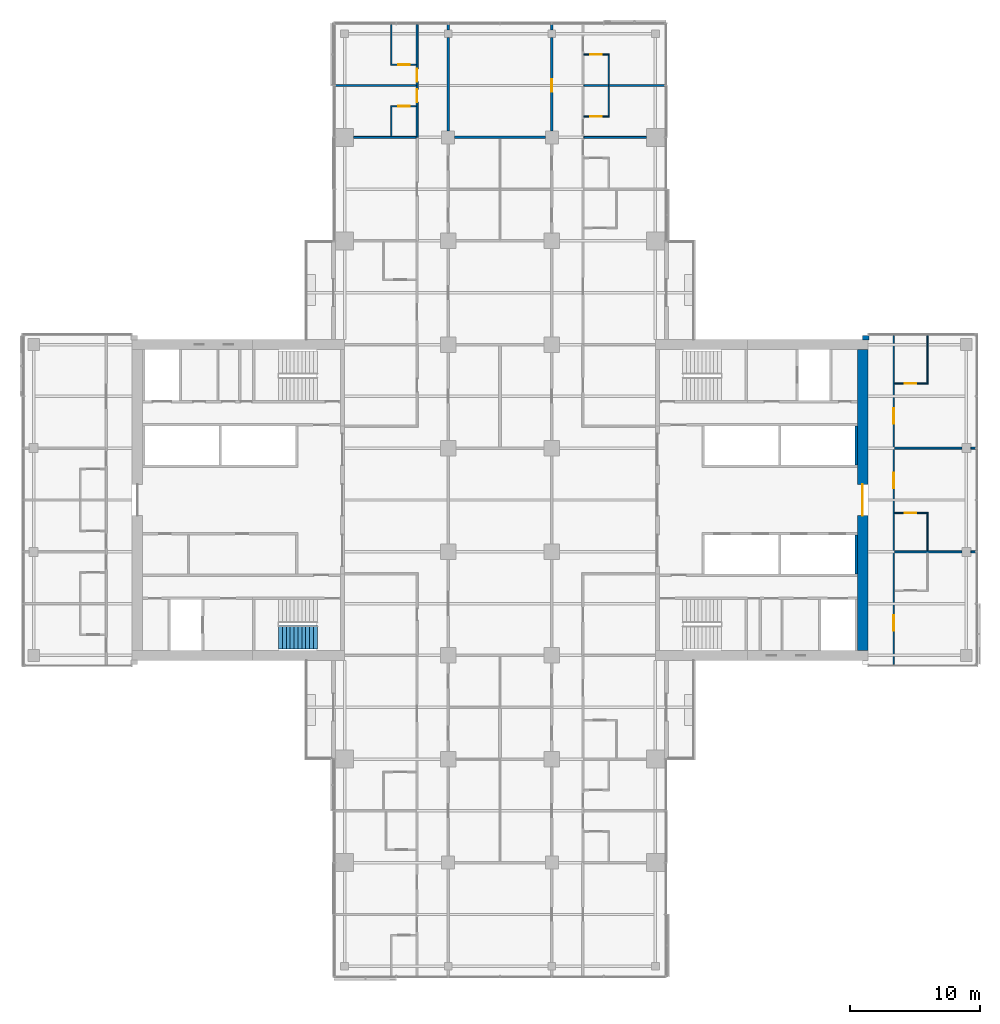
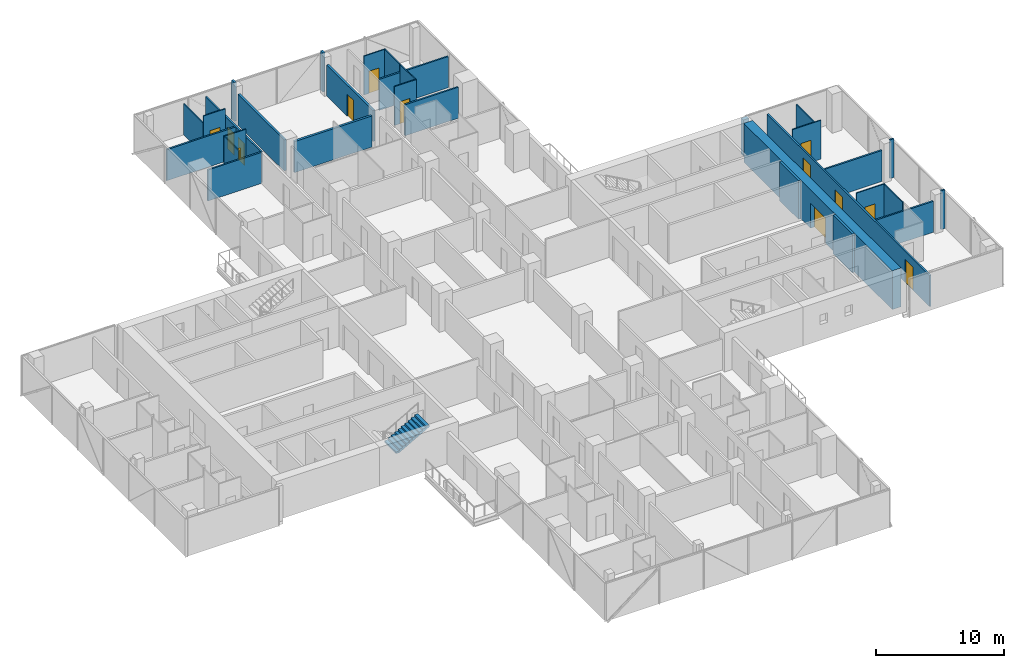
# One storey, part 21 of 27: 31 walls, 13 doors, 1 stair flight, 13 openings, 1 element without a shape of its own.
"""IFC4 building model written with IfcOpenShell, lengths in metres."""

from ifc_helpers import new_model, si_unit, direction, frame, frame_2d, origin, place, context, subcontext, project, spatial, polyline, rectangle, outline, extrude, material, layer, layer_set, type_object, element, fill, aggregate, save


model = new_model("IFC4")

# Units and contexts
model_context = context("Model", 3, precision=1e-05, world=origin(), true_north=direction((0.0, 1.0)))
body_context = subcontext(model_context, "Body", "Model", "MODEL_VIEW")
ifc_project = project(units=[si_unit("LENGTHUNIT", "METRE"), si_unit("AREAUNIT", "SQUARE_METRE"), si_unit("VOLUMEUNIT", "CUBIC_METRE"), si_unit("PLANEANGLEUNIT", "RADIAN"), si_unit("MASSUNIT", "GRAM", prefix="KILO")], contexts=[model_context])

# Site, building, storey
site_placement = place(None, origin())
site = spatial("IfcSite", under=ifc_project, at=site_placement, CompositionType="ELEMENT")
building_placement = place(site_placement, origin())
building = spatial("IfcBuilding", under=site, at=building_placement, Name="Crosswind Convention Tower", CompositionType="ELEMENT")
storey_placement = place(building_placement, frame((0.0, 0.0, 75.699951171875)))
storey = spatial("IfcBuildingStorey", under=building, at=storey_placement, Name="L13", CompositionType="ELEMENT", Elevation=75.699951171875)

# Wall, opening, door
ifc_material_1 = material(Name="Concrete C60/75", Category="concrete")
ifc_layer_1 = layer(ifc_material_1, 0.800048828125)
ifc_layer_set_1 = layer_set([ifc_layer_1], Name="Concrete C60/75")
wall_type_1 = type_object("IfcWallType", Name="Concrete core wall 800", PredefinedType="SHEAR", material=ifc_layer_set_1)
wall_1_placement = place(storey_placement, frame((153.0, 88.39990234375, 0.0), z_axis=(0.0, 0.0, 1.0), x_axis=(0.0, 1.0, 0.0)))
wall_1 = element("IfcWall", 1, at=wall_1_placement, inside=storey, type_object=wall_type_1, Name="Wall O E L13", PredefinedType="SHEAR", context=body_context, shape_type="SweptSolid", body=[
    extrude(rectangle(XDim=23.2001953125, YDim=0.800048828125, at=frame_2d((11.60009765625, 0.0))), origin(), (0.0, 0.0, 1.0), 3.699951171875),
])
opening_1_placement = place(wall_1_placement, frame((10.39990234375, 0.0, 0.0)))
opening_1 = element("IfcOpeningElement", 2, at=opening_1_placement, cuts=wall_1, Name="Opening D100", PredefinedType="OPENING", context=body_context, shape_type="SweptSolid", body=[
    extrude(rectangle(XDim=2.39990234375, YDim=2.39990234375, at=frame_2d((1.199951171875, 1.199951171875))), frame((0.0, 0.409912109375, 0.0), z_axis=(0.0, -1.0, 0.0), x_axis=(1.0, 0.0, 0.0)), (0.0, 0.0, 1.0), 0.820068359375),
])
ifc_material_2 = material(Name="Steel fire door with glazed vision panels", Category="steel")
door_type_1 = type_object("IfcDoorType", Name="Fire-rated double door 2400x2400", OperationType="DOUBLE_DOOR_SINGLE_SWING", PredefinedType="DOOR", material=ifc_material_2)
door_1_placement = place(opening_1_placement, origin())
door_1 = element("IfcDoor", 3, at=door_1_placement, inside=storey, type_object=door_type_1, Name="Lobby outer door L13", ObjectType="D100", OperationType="DOUBLE_DOOR_SINGLE_SWING", OverallHeight=2.39990234375, OverallWidth=2.39990234375, PredefinedType="DOOR", context=body_context, shape_type="SweptSolid", body=[
    extrude(rectangle(XDim=2.39990234375, YDim=2.39990234375, at=frame_2d((1.199951171875, 1.199951171875))), frame((0.0, 0.02490234375, 0.0), z_axis=(0.0, -1.0, 0.0), x_axis=(1.0, 0.0, 0.0)), (0.0, 0.0, 1.0), 0.050048828125),
])
fill(opening_1, door_1)

# Walls
ifc_material_3 = material(Name="Concrete C50/60", Category="concrete")
ifc_layer_2 = layer(ifc_material_3, 0.199951171875)
ifc_layer_set_2 = layer_set([ifc_layer_2], Name="Concrete C50/60")
wall_type_2 = type_object("IfcWallType", Name="Concrete shaft and stair wall 200", PredefinedType="SHEAR", material=ifc_layer_set_2)
for number, where, z_axis, x_axis, name in (
    (4, (152.5, 102.699951171875, 0.0), (0.0, 0.0, 1.0), (0.0, 1.0, 0.0), "Wall RPEAST E L13"),
    (5, (152.5, 94.300048828125, 0.0), (0.0, 0.0, 1.0), (0.0, 1.0, 0.0), "Wall RMEAST E L13"),
):
    element("IfcWall", number, at=place(storey_placement, frame(where, z_axis=z_axis, x_axis=x_axis)), inside=storey, type_object=wall_type_2, Name=name, PredefinedType="SHEAR", context=body_context, shape_type="SweptSolid", body=[
        extrude(rectangle(XDim=3.0, YDim=0.199951171875, at=frame_2d((1.5, 0.0))), origin(), (0.0, 0.0, 1.0), 3.699951171875),
    ])
ifc_material_4 = material(Name="Acoustic plasterboard partition", Category="gypsum")
ifc_layer_3 = layer(ifc_material_4, 0.14990234375)
ifc_layer_set_3 = layer_set([ifc_layer_3], Name="GUEST ROOM WALL 150")
wall_type_3 = type_object("IfcWallType", Name="GUEST ROOM WALL 150", PredefinedType="PARTITIONING", material=ifc_layer_set_3)
wall_2_placement = place(storey_placement, frame((155.47509765625, 96.0, 0.0), z_axis=(0.0, 0.0, 1.0), x_axis=(1.0, 0.0, 0.0)))
element("IfcWall", 6, at=wall_2_placement, inside=storey, type_object=wall_type_3, Name="Guest Room Wall 28", PredefinedType="PARTITIONING", context=body_context, shape_type="SweptSolid", body=[
    extrude(rectangle(XDim=5.1748046875, YDim=0.14990234375, at=frame_2d((2.58740234375, 0.0))), origin(), (0.0, 0.0, 1.0), 2.95654296875),
])
wall_3_placement = place(storey_placement, frame((161.35009765625, 96.0, 0.0), z_axis=(0.0, 0.0, 1.0), x_axis=(1.0, 0.0, 0.0)))
element("IfcWall", 7, at=wall_3_placement, inside=storey, type_object=wall_type_3, Name="Guest Room Wall 29", PredefinedType="PARTITIONING", context=body_context, shape_type="SweptSolid", body=[
    extrude(rectangle(XDim=0.349853515625, YDim=0.14990234375, at=frame_2d((0.1748046875, 0.0))), origin(), (0.0, 0.0, 1.0), 3.699951171875),
])
wall_4_placement = place(storey_placement, frame((155.47509765625, 104.0, 0.0), z_axis=(0.0, 0.0, 1.0), x_axis=(1.0, 0.0, 0.0)))
element("IfcWall", 8, at=wall_4_placement, inside=storey, type_object=wall_type_3, Name="Guest Room Wall 37", PredefinedType="PARTITIONING", context=body_context, shape_type="SweptSolid", body=[
    extrude(rectangle(XDim=5.1748046875, YDim=0.14990234375, at=frame_2d((2.58740234375, 0.0))), origin(), (0.0, 0.0, 1.0), 2.95654296875),
])
wall_5_placement = place(storey_placement, frame((161.35009765625, 104.0, 0.0), z_axis=(0.0, 0.0, 1.0), x_axis=(1.0, 0.0, 0.0)))
element("IfcWall", 9, at=wall_5_placement, inside=storey, type_object=wall_type_3, Name="Guest Room Wall 38", PredefinedType="PARTITIONING", context=body_context, shape_type="SweptSolid", body=[
    extrude(rectangle(XDim=0.349853515625, YDim=0.14990234375, at=frame_2d((0.1748046875, 0.0))), origin(), (0.0, 0.0, 1.0), 3.699951171875),
])
for number, where, z_axis, x_axis, name in (
    (10, (113.699951171875, 128.0, 0.0), (0.0, 0.0, 1.0), (1.0, 0.0, 0.0), "Guest Room Wall 52"),
    (11, (131.47509765625, 128.0, 0.0), (0.0, 0.0, 1.0), (1.0, 0.0, 0.0), "Guest Room Wall 54"),
):
    element("IfcWall", number, at=place(storey_placement, frame(where, z_axis=z_axis, x_axis=x_axis)), inside=storey, type_object=wall_type_3, Name=name, PredefinedType="PARTITIONING", context=body_context, shape_type="SweptSolid", body=[
        extrude(rectangle(XDim=4.824951171875, YDim=0.14990234375, at=frame_2d((2.41259765625, 0.0))), origin(), (0.0, 0.0, 1.0), 2.9599609375),
    ])
for number, where, z_axis, x_axis, name in (
    (12, (112.300048828125, 132.0, 0.0), (0.0, 0.0, 1.0), (1.0, 0.0, 0.0), "Guest Room Wall 57"),
    (13, (131.47509765625, 132.0, 0.0), (0.0, 0.0, 1.0), (1.0, 0.0, 0.0), "Guest Room Wall 58"),
):
    element("IfcWall", number, at=place(storey_placement, frame(where, z_axis=z_axis, x_axis=x_axis)), inside=storey, type_object=wall_type_3, Name=name, PredefinedType="PARTITIONING", context=body_context, shape_type="SweptSolid", body=[
        extrude(rectangle(XDim=6.224853515625, YDim=0.14990234375, at=frame_2d((3.1123046875, 0.0))), origin(), (0.0, 0.0, 1.0), 2.962890625),
    ])

# Wall, openings, doors
wall_6_placement = place(storey_placement, frame((118.60009765625, 128.0, 0.0), z_axis=(0.0, 0.0, 1.0), x_axis=(0.0, 1.0, 0.0)))
wall_6 = element("IfcWall", 14, at=wall_6_placement, inside=storey, type_object=wall_type_3, Name="Guest Room Wall 78", PredefinedType="PARTITIONING", context=body_context, shape_type="SweptSolid", body=[
    extrude(rectangle(XDim=8.699951171875, YDim=0.14990234375, at=frame_2d((4.35009765625, 0.0))), origin(), (0.0, 0.0, 1.0), 2.9599609375),
])
opening_2_placement = place(wall_6_placement, frame((2.699951171875, 0.0, 0.0)))
opening_2 = element("IfcOpeningElement", 15, at=opening_2_placement, cuts=wall_6, Name="Opening 13.016", PredefinedType="OPENING", context=body_context, shape_type="SweptSolid", body=[
    extrude(rectangle(XDim=1.0, YDim=2.10009765625, at=frame_2d((0.5, 1.050048828125))), frame((0.0, 0.0849609375, 0.0), z_axis=(0.0, -1.0, 0.0), x_axis=(1.0, 0.0, 0.0)), (0.0, 0.0, 1.0), 0.169921875),
])
opening_3_placement = place(wall_6_placement, frame((4.300048828125, 0.0, 0.0)))
opening_3 = element("IfcOpeningElement", 16, at=opening_3_placement, cuts=wall_6, Name="Opening 13.018", PredefinedType="OPENING", context=body_context, shape_type="SweptSolid", body=[
    extrude(rectangle(XDim=1.0, YDim=2.10009765625, at=frame_2d((0.5, 1.050048828125))), frame((0.0, 0.0849609375, 0.0), z_axis=(0.0, -1.0, 0.0), x_axis=(1.0, 0.0, 0.0)), (0.0, 0.0, 1.0), 0.169921875),
])
ifc_material_5 = material(Name="Timber fire door", Category="wood")
door_type_2 = type_object("IfcDoorType", Name="GUEST ROOM DOOR 1000X2100", OperationType="NOTDEFINED", PredefinedType="DOOR", material=ifc_material_5)
door_2_placement = place(opening_2_placement, origin())
door_2 = element("IfcDoor", 17, at=door_2_placement, inside=storey, type_object=door_type_2, Name="Door 13.016", ObjectType="D1", OperationType="SINGLE_SWING_RIGHT", OverallHeight=2.10009765625, OverallWidth=1.0, PredefinedType="DOOR", context=body_context, shape_type="SweptSolid", body=[
    extrude(rectangle(XDim=1.0, YDim=2.10009765625, at=frame_2d((0.5, 1.050048828125))), frame((0.0, 0.02490234375, 0.0), z_axis=(0.0, -1.0, 0.0), x_axis=(1.0, 0.0, 0.0)), (0.0, 0.0, 1.0), 0.050048828125),
])
fill(opening_2, door_2)
door_3_placement = place(opening_3_placement, origin())
door_3 = element("IfcDoor", 18, at=door_3_placement, inside=storey, type_object=door_type_2, Name="Door 13.018", ObjectType="D1", OperationType="SINGLE_SWING_RIGHT", OverallHeight=2.10009765625, OverallWidth=1.0, PredefinedType="DOOR", context=body_context, shape_type="SweptSolid", body=[
    extrude(rectangle(XDim=1.0, YDim=2.10009765625, at=frame_2d((0.5, 1.050048828125))), frame((0.0, 0.02490234375, 0.0), z_axis=(0.0, -1.0, 0.0), x_axis=(1.0, 0.0, 0.0)), (0.0, 0.0, 1.0), 0.050048828125),
])
fill(opening_3, door_3)

wall_7_placement = place(storey_placement, frame((155.39990234375, 87.300048828125, 0.0), z_axis=(0.0, 0.0, 1.0), x_axis=(0.0, 1.0, 0.0)))
wall_7 = element("IfcWall", 19, at=wall_7_placement, inside=storey, type_object=wall_type_3, Name="Guest Room Wall 120", PredefinedType="PARTITIONING", context=body_context, shape_type="SweptSolid", body=[
    extrude(rectangle(XDim=25.39990234375, YDim=0.14990234375, at=frame_2d((12.699951171875, 0.0))), origin(), (0.0, 0.0, 1.0), 2.95654296875),
])
opening_4_placement = place(wall_7_placement, frame((2.60009765625, 0.0, 0.0)))
opening_4 = element("IfcOpeningElement", 20, at=opening_4_placement, cuts=wall_7, Name="Opening 13.033", PredefinedType="OPENING", context=body_context, shape_type="SweptSolid", body=[
    extrude(rectangle(XDim=1.199951171875, YDim=2.199951171875, at=frame_2d((0.60009765625, 1.10009765625))), frame((0.0, 0.0849609375, 0.0), z_axis=(0.0, -1.0, 0.0), x_axis=(1.0, 0.0, 0.0)), (0.0, 0.0, 1.0), 0.169921875),
])
opening_5_placement = place(wall_7_placement, frame((13.60009765625, 0.0, 0.0)))
opening_5 = element("IfcOpeningElement", 21, at=opening_5_placement, cuts=wall_7, Name="Opening 13.035", PredefinedType="OPENING", context=body_context, shape_type="SweptSolid", body=[
    extrude(rectangle(XDim=1.199951171875, YDim=2.199951171875, at=frame_2d((0.60009765625, 1.10009765625))), frame((0.0, 0.0849609375, 0.0), z_axis=(0.0, -1.0, 0.0), x_axis=(1.0, 0.0, 0.0)), (0.0, 0.0, 1.0), 0.169921875),
])
opening_6_placement = place(wall_7_placement, frame((18.60009765625, 0.0, 0.0)))
opening_6 = element("IfcOpeningElement", 22, at=opening_6_placement, cuts=wall_7, Name="Opening 13.037", PredefinedType="OPENING", context=body_context, shape_type="SweptSolid", body=[
    extrude(rectangle(XDim=1.199951171875, YDim=2.199951171875, at=frame_2d((0.60009765625, 1.10009765625))), frame((0.0, 0.0849609375, 0.0), z_axis=(0.0, -1.0, 0.0), x_axis=(1.0, 0.0, 0.0)), (0.0, 0.0, 1.0), 0.169921875),
])
door_type_3 = type_object("IfcDoorType", Name="SUITE DOOR 1200X2200", OperationType="DOUBLE_DOOR_SINGLE_SWING", PredefinedType="DOOR", material=ifc_material_5)
door_4_placement = place(opening_4_placement, frame((1.199951171875, 0.0, 0.0), z_axis=(0.0, 0.0, 1.0), x_axis=(-1.0, 0.0, 0.0)))
door_4 = element("IfcDoor", 23, at=door_4_placement, inside=storey, type_object=door_type_3, Name="Door 13.033", ObjectType="D14", OperationType="DOUBLE_DOOR_SINGLE_SWING", OverallHeight=2.199951171875, OverallWidth=1.199951171875, PredefinedType="DOOR", context=body_context, shape_type="SweptSolid", body=[
    extrude(rectangle(XDim=1.199951171875, YDim=2.199951171875, at=frame_2d((0.60009765625, 1.10009765625))), frame((0.0, 0.02490234375, 0.0), z_axis=(0.0, -1.0, 0.0), x_axis=(1.0, 0.0, 0.0)), (0.0, 0.0, 1.0), 0.050048828125),
])
fill(opening_4, door_4)
door_5_placement = place(opening_5_placement, frame((1.199951171875, 0.0, 0.0), z_axis=(0.0, 0.0, 1.0), x_axis=(-1.0, 0.0, 0.0)))
door_5 = element("IfcDoor", 24, at=door_5_placement, inside=storey, type_object=door_type_3, Name="Door 13.035", ObjectType="D14", OperationType="DOUBLE_DOOR_SINGLE_SWING", OverallHeight=2.199951171875, OverallWidth=1.199951171875, PredefinedType="DOOR", context=body_context, shape_type="SweptSolid", body=[
    extrude(rectangle(XDim=1.199951171875, YDim=2.199951171875, at=frame_2d((0.60009765625, 1.10009765625))), frame((0.0, 0.02490234375, 0.0), z_axis=(0.0, -1.0, 0.0), x_axis=(1.0, 0.0, 0.0)), (0.0, 0.0, 1.0), 0.050048828125),
])
fill(opening_5, door_5)
door_6_placement = place(opening_6_placement, frame((1.199951171875, 0.0, 0.0), z_axis=(0.0, 0.0, 1.0), x_axis=(-1.0, 0.0, 0.0)))
door_6 = element("IfcDoor", 25, at=door_6_placement, inside=storey, type_object=door_type_3, Name="Door 13.037", ObjectType="D14", OperationType="DOUBLE_DOOR_SINGLE_SWING", OverallHeight=2.199951171875, OverallWidth=1.199951171875, PredefinedType="DOOR", context=body_context, shape_type="SweptSolid", body=[
    extrude(rectangle(XDim=1.199951171875, YDim=2.199951171875, at=frame_2d((0.60009765625, 1.10009765625))), frame((0.0, 0.02490234375, 0.0), z_axis=(0.0, -1.0, 0.0), x_axis=(1.0, 0.0, 0.0)), (0.0, 0.0, 1.0), 0.050048828125),
])
fill(opening_6, door_6)

# Walls
ifc_material_6 = material(Name="Double plasterboard partition", Category="gypsum")
ifc_layer_4 = layer(ifc_material_6, 0.199951171875)
ifc_layer_set_4 = layer_set([ifc_layer_4], Name="HALL WALL 200")
wall_type_4 = type_object("IfcWallType", Name="HALL WALL 200", PredefinedType="PARTITIONING", material=ifc_layer_set_4)
wall_8_placement = place(storey_placement, frame((121.5, 128.0, 0.0), z_axis=(0.0, 0.0, 1.0), x_axis=(1.0, 0.0, 0.0)))
element("IfcWall", 26, at=wall_8_placement, inside=storey, type_object=wall_type_4, Name="Hall Wall 53", PredefinedType="PARTITIONING", context=body_context, shape_type="SweptSolid", body=[
    extrude(rectangle(XDim=7.0, YDim=0.199951171875, at=frame_2d((3.5, 0.0))), origin(), (0.0, 0.0, 1.0), 2.9599609375),
])
wall_9_placement = place(storey_placement, frame((121.0, 128.5, 0.0), z_axis=(0.0, 0.0, 1.0), x_axis=(0.0, 1.0, 0.0)))
element("IfcWall", 27, at=wall_9_placement, inside=storey, type_object=wall_type_4, Name="Hall Wall 88", PredefinedType="PARTITIONING", context=body_context, shape_type="SweptSolid", body=[
    extrude(rectangle(XDim=7.199951171875, YDim=0.199951171875, at=frame_2d((3.60009765625, 0.0))), origin(), (0.0, 0.0, 1.0), 2.9599609375),
])
wall_10_placement = place(storey_placement, frame((121.0, 136.300048828125, 0.0), z_axis=(0.0, 0.0, 1.0), x_axis=(0.0, 1.0, 0.0)))
element("IfcWall", 28, at=wall_10_placement, inside=storey, type_object=wall_type_4, Name="Hall Wall 89", PredefinedType="PARTITIONING", context=body_context, shape_type="SweptSolid", body=[
    extrude(rectangle(XDim=0.39990234375, YDim=0.199951171875, at=frame_2d((0.199951171875, 0.0))), origin(), (0.0, 0.0, 1.0), 3.699951171875),
])

# Wall, opening, door
wall_11_placement = place(storey_placement, frame((129.0, 128.5, 0.0), z_axis=(0.0, 0.0, 1.0), x_axis=(0.0, 1.0, 0.0)))
wall_11 = element("IfcWall", 29, at=wall_11_placement, inside=storey, type_object=wall_type_4, Name="Hall Wall 106", PredefinedType="PARTITIONING", context=body_context, shape_type="SweptSolid", body=[
    extrude(rectangle(XDim=7.199951171875, YDim=0.199951171875, at=frame_2d((3.60009765625, 0.0))), origin(), (0.0, 0.0, 1.0), 2.9599609375),
])
opening_7_placement = place(wall_11_placement, frame((3.0, 0.0, 0.0)))
opening_7 = element("IfcOpeningElement", 30, at=opening_7_placement, cuts=wall_11, Name="Opening 13.063", PredefinedType="OPENING", context=body_context, shape_type="SweptSolid", body=[
    extrude(rectangle(XDim=1.0, YDim=2.10009765625, at=frame_2d((0.5, 1.050048828125))), frame((0.0, 0.10986328125, 0.0), z_axis=(0.0, -1.0, 0.0), x_axis=(1.0, 0.0, 0.0)), (0.0, 0.0, 1.0), 0.219970703125),
])
door_type_4 = type_object("IfcDoorType", Name="MEETING ROOM DOOR 1000X2100", OperationType="NOTDEFINED", PredefinedType="DOOR", material=ifc_material_5)
door_7_placement = place(opening_7_placement, frame((1.0, 0.0, 0.0), z_axis=(0.0, 0.0, 1.0), x_axis=(-1.0, 0.0, 0.0)))
door_7 = element("IfcDoor", 31, at=door_7_placement, inside=storey, type_object=door_type_4, Name="Door 13.063", ObjectType="D13", OperationType="SINGLE_SWING_RIGHT", OverallHeight=2.10009765625, OverallWidth=1.0, PredefinedType="DOOR", context=body_context, shape_type="SweptSolid", body=[
    extrude(rectangle(XDim=1.0, YDim=2.10009765625, at=frame_2d((0.5, 1.050048828125))), frame((0.0, 0.02490234375, 0.0), z_axis=(0.0, -1.0, 0.0), x_axis=(1.0, 0.0, 0.0)), (0.0, 0.0, 1.0), 0.050048828125),
])
fill(opening_7, door_7)

# Walls
wall_12_placement = place(storey_placement, frame((129.0, 136.300048828125, 0.0), z_axis=(0.0, 0.0, 1.0), x_axis=(0.0, 1.0, 0.0)))
element("IfcWall", 32, at=wall_12_placement, inside=storey, type_object=wall_type_4, Name="Hall Wall 107", PredefinedType="PARTITIONING", context=body_context, shape_type="SweptSolid", body=[
    extrude(rectangle(XDim=0.39990234375, YDim=0.199951171875, at=frame_2d((0.199951171875, 0.0))), origin(), (0.0, 0.0, 1.0), 3.699951171875),
])
ifc_material_7 = material(Name="Terracotta rainscreen", Category="ceramic")
ifc_layer_5 = layer(ifc_material_7, 0.02001953125)
ifc_material_8 = material(Name="Mineral wool insulation", Category="insulation")
ifc_layer_6 = layer(ifc_material_8, 0.10009765625)
ifc_material_9 = material(Name="Concrete blockwork", Category="masonry")
ifc_layer_7 = layer(ifc_material_9, 0.236083984375)
ifc_layer_set_5 = layer_set([ifc_layer_5, ifc_layer_6, ifc_layer_7], Name="TERRACOTTA CORNER INFILL WALL 356")
wall_type_5 = type_object("IfcWallType", Name="TERRACOTTA CORNER INFILL WALL 356", PredefinedType="SOLIDWALL", material=ifc_layer_set_5)
wall_13_placement = place(storey_placement, frame((153.0, 112.52197265625, 0.0), z_axis=(0.0, 0.0, 1.0), x_axis=(1.0, 0.0, 0.0)))
element("IfcWall", 33, at=wall_13_placement, inside=storey, type_object=wall_type_5, Name="Core corner infill wall L13 1", PredefinedType="SOLIDWALL", context=body_context, shape_type="SweptSolid", body=[
    extrude(rectangle(XDim=0.5048828125, YDim=0.35595703125, at=frame_2d((0.25244140625, 0.0))), origin(), (0.0, 0.0, 1.0), 3.420166015625),
])

# Wall, opening, door
ifc_material_10 = material(Name="Water-resistant plasterboard partition", Category="gypsum")
ifc_layer_8 = layer(ifc_material_10, 0.10009765625)
ifc_layer_set_6 = layer_set([ifc_layer_8], Name="WET ROOM PARTITION 100")
wall_type_6 = type_object("IfcWallType", Name="WET ROOM PARTITION 100", PredefinedType="PLUMBINGWALL", material=ifc_layer_set_6)
wall_14_placement = place(storey_placement, frame((155.47509765625, 99.0, 0.0), z_axis=(0.0, 0.0, 1.0), x_axis=(1.0, 0.0, 0.0)))
wall_14 = element("IfcWall", 34, at=wall_14_placement, inside=storey, type_object=wall_type_6, Name="Wet Room Partition 31", PredefinedType="PLUMBINGWALL", context=body_context, shape_type="SweptSolid", body=[
    extrude(rectangle(XDim=2.574951171875, YDim=0.10009765625, at=frame_2d((1.28759765625, 0.0))), origin(), (0.0, 0.0, 1.0), 3.699951171875),
])
opening_8_placement = place(wall_14_placement, frame((0.77490234375, 0.0, 0.0)))
opening_8 = element("IfcOpeningElement", 35, at=opening_8_placement, cuts=wall_14, Name="Opening 13.036", PredefinedType="OPENING", context=body_context, shape_type="SweptSolid", body=[
    extrude(rectangle(XDim=0.89990234375, YDim=2.10009765625, at=frame_2d((0.449951171875, 1.050048828125))), frame((0.0, 0.06005859375, 0.0), z_axis=(0.0, -1.0, 0.0), x_axis=(1.0, 0.0, 0.0)), (0.0, 0.0, 1.0), 0.1201171875),
])
ifc_material_11 = material(Name="Timber door", Category="wood")
door_type_5 = type_object("IfcDoorType", Name="EN-SUITE DOOR 900X2100", OperationType="NOTDEFINED", PredefinedType="DOOR", material=ifc_material_11)
door_8_placement = place(opening_8_placement, frame((0.89990234375, 0.0, 0.0), z_axis=(0.0, 0.0, 1.0), x_axis=(-1.0, 0.0, 0.0)))
door_8 = element("IfcDoor", 36, at=door_8_placement, inside=storey, type_object=door_type_5, Name="Door 13.036", ObjectType="D2", OperationType="SINGLE_SWING_LEFT", OverallHeight=2.10009765625, OverallWidth=0.89990234375, PredefinedType="DOOR", context=body_context, shape_type="SweptSolid", body=[
    extrude(rectangle(XDim=0.89990234375, YDim=2.10009765625, at=frame_2d((0.449951171875, 1.050048828125))), frame((0.0, 0.02490234375, 0.0), z_axis=(0.0, -1.0, 0.0), x_axis=(1.0, 0.0, 0.0)), (0.0, 0.0, 1.0), 0.050048828125),
])
fill(opening_8, door_8)

wall_15_placement = place(storey_placement, frame((155.47509765625, 109.0, 0.0), z_axis=(0.0, 0.0, 1.0), x_axis=(1.0, 0.0, 0.0)))
wall_15 = element("IfcWall", 37, at=wall_15_placement, inside=storey, type_object=wall_type_6, Name="Wet Room Partition 41", PredefinedType="PLUMBINGWALL", context=body_context, shape_type="SweptSolid", body=[
    extrude(rectangle(XDim=2.574951171875, YDim=0.10009765625, at=frame_2d((1.28759765625, 0.0))), origin(), (0.0, 0.0, 1.0), 3.699951171875),
])
opening_9_placement = place(wall_15_placement, frame((0.77490234375, 0.0, 0.0)))
opening_9 = element("IfcOpeningElement", 38, at=opening_9_placement, cuts=wall_15, Name="Opening 13.038", PredefinedType="OPENING", context=body_context, shape_type="SweptSolid", body=[
    extrude(rectangle(XDim=0.89990234375, YDim=2.10009765625, at=frame_2d((0.449951171875, 1.050048828125))), frame((0.0, 0.06005859375, 0.0), z_axis=(0.0, -1.0, 0.0), x_axis=(1.0, 0.0, 0.0)), (0.0, 0.0, 1.0), 0.1201171875),
])
door_9_placement = place(opening_9_placement, origin())
door_9 = element("IfcDoor", 39, at=door_9_placement, inside=storey, type_object=door_type_5, Name="Door 13.038", ObjectType="D2", OperationType="SINGLE_SWING_RIGHT", OverallHeight=2.10009765625, OverallWidth=0.89990234375, PredefinedType="DOOR", context=body_context, shape_type="SweptSolid", body=[
    extrude(rectangle(XDim=0.89990234375, YDim=2.10009765625, at=frame_2d((0.449951171875, 1.050048828125))), frame((0.0, 0.02490234375, 0.0), z_axis=(0.0, -1.0, 0.0), x_axis=(1.0, 0.0, 0.0)), (0.0, 0.0, 1.0), 0.050048828125),
])
fill(opening_9, door_9)

wall_16_placement = place(storey_placement, frame((131.47509765625, 129.60009765625, 0.0), z_axis=(0.0, 0.0, 1.0), x_axis=(1.0, 0.0, 0.0)))
wall_16 = element("IfcWall", 40, at=wall_16_placement, inside=storey, type_object=wall_type_6, Name="Wet Room Partition 55", PredefinedType="PLUMBINGWALL", context=body_context, shape_type="SweptSolid", body=[
    extrude(rectangle(XDim=1.974853515625, YDim=0.10009765625, at=frame_2d((0.9873046875, 0.0))), origin(), (0.0, 0.0, 1.0), 3.699951171875),
])
opening_10_placement = place(wall_16_placement, frame((0.47509765625, 0.0, 0.0)))
opening_10 = element("IfcOpeningElement", 41, at=opening_10_placement, cuts=wall_16, Name="Opening 13.010", PredefinedType="OPENING", context=body_context, shape_type="SweptSolid", body=[
    extrude(rectangle(XDim=0.89990234375, YDim=2.10009765625, at=frame_2d((0.449951171875, 1.050048828125))), frame((0.0, 0.06005859375, 0.0), z_axis=(0.0, -1.0, 0.0), x_axis=(1.0, 0.0, 0.0)), (0.0, 0.0, 1.0), 0.1201171875),
])
door_10_placement = place(opening_10_placement, origin())
door_10 = element("IfcDoor", 42, at=door_10_placement, inside=storey, type_object=door_type_5, Name="Door 13.010", ObjectType="D2", OperationType="SINGLE_SWING_RIGHT", OverallHeight=2.10009765625, OverallWidth=0.89990234375, PredefinedType="DOOR", context=body_context, shape_type="SweptSolid", body=[
    extrude(rectangle(XDim=0.89990234375, YDim=2.10009765625, at=frame_2d((0.449951171875, 1.050048828125))), frame((0.0, 0.02490234375, 0.0), z_axis=(0.0, -1.0, 0.0), x_axis=(1.0, 0.0, 0.0)), (0.0, 0.0, 1.0), 0.050048828125),
])
fill(opening_10, door_10)

wall_17_placement = place(storey_placement, frame((116.550048828125, 130.39990234375, 0.0), z_axis=(0.0, 0.0, 1.0), x_axis=(1.0, 0.0, 0.0)))
wall_17 = element("IfcWall", 43, at=wall_17_placement, inside=storey, type_object=wall_type_6, Name="Wet Room Partition 56", PredefinedType="PLUMBINGWALL", context=body_context, shape_type="SweptSolid", body=[
    extrude(rectangle(XDim=1.974853515625, YDim=0.10009765625, at=frame_2d((0.9873046875, 0.0))), origin(), (0.0, 0.0, 1.0), 3.699951171875),
])
opening_11_placement = place(wall_17_placement, frame((0.60009765625, 0.0, 0.0)))
opening_11 = element("IfcOpeningElement", 44, at=opening_11_placement, cuts=wall_17, Name="Opening 13.017", PredefinedType="OPENING", context=body_context, shape_type="SweptSolid", body=[
    extrude(rectangle(XDim=0.89990234375, YDim=2.10009765625, at=frame_2d((0.449951171875, 1.050048828125))), frame((0.0, 0.06005859375, 0.0), z_axis=(0.0, -1.0, 0.0), x_axis=(1.0, 0.0, 0.0)), (0.0, 0.0, 1.0), 0.1201171875),
])
door_11_placement = place(opening_11_placement, frame((0.89990234375, 0.0, 0.0), z_axis=(0.0, 0.0, 1.0), x_axis=(-1.0, 0.0, 0.0)))
door_11 = element("IfcDoor", 45, at=door_11_placement, inside=storey, type_object=door_type_5, Name="Door 13.017", ObjectType="D2", OperationType="SINGLE_SWING_LEFT", OverallHeight=2.10009765625, OverallWidth=0.89990234375, PredefinedType="DOOR", context=body_context, shape_type="SweptSolid", body=[
    extrude(rectangle(XDim=0.89990234375, YDim=2.10009765625, at=frame_2d((0.449951171875, 1.050048828125))), frame((0.0, 0.02490234375, 0.0), z_axis=(0.0, -1.0, 0.0), x_axis=(1.0, 0.0, 0.0)), (0.0, 0.0, 1.0), 0.050048828125),
])
fill(opening_11, door_11)

wall_18_placement = place(storey_placement, frame((116.550048828125, 133.60009765625, 0.0), z_axis=(0.0, 0.0, 1.0), x_axis=(1.0, 0.0, 0.0)))
wall_18 = element("IfcWall", 46, at=wall_18_placement, inside=storey, type_object=wall_type_6, Name="Wet Room Partition 59", PredefinedType="PLUMBINGWALL", context=body_context, shape_type="SweptSolid", body=[
    extrude(rectangle(XDim=1.974853515625, YDim=0.10009765625, at=frame_2d((0.9873046875, 0.0))), origin(), (0.0, 0.0, 1.0), 3.699951171875),
])
opening_12_placement = place(wall_18_placement, frame((0.60009765625, 0.0, 0.0)))
opening_12 = element("IfcOpeningElement", 47, at=opening_12_placement, cuts=wall_18, Name="Opening 13.019", PredefinedType="OPENING", context=body_context, shape_type="SweptSolid", body=[
    extrude(rectangle(XDim=0.89990234375, YDim=2.10009765625, at=frame_2d((0.449951171875, 1.050048828125))), frame((0.0, 0.06005859375, 0.0), z_axis=(0.0, -1.0, 0.0), x_axis=(1.0, 0.0, 0.0)), (0.0, 0.0, 1.0), 0.1201171875),
])
door_12_placement = place(opening_12_placement, origin())
door_12 = element("IfcDoor", 48, at=door_12_placement, inside=storey, type_object=door_type_5, Name="Door 13.019", ObjectType="D2", OperationType="SINGLE_SWING_RIGHT", OverallHeight=2.10009765625, OverallWidth=0.89990234375, PredefinedType="DOOR", context=body_context, shape_type="SweptSolid", body=[
    extrude(rectangle(XDim=0.89990234375, YDim=2.10009765625, at=frame_2d((0.449951171875, 1.050048828125))), frame((0.0, 0.02490234375, 0.0), z_axis=(0.0, -1.0, 0.0), x_axis=(1.0, 0.0, 0.0)), (0.0, 0.0, 1.0), 0.050048828125),
])
fill(opening_12, door_12)

wall_19_placement = place(storey_placement, frame((131.47509765625, 134.39990234375, 0.0), z_axis=(0.0, 0.0, 1.0), x_axis=(1.0, 0.0, 0.0)))
wall_19 = element("IfcWall", 49, at=wall_19_placement, inside=storey, type_object=wall_type_6, Name="Wet Room Partition 60", PredefinedType="PLUMBINGWALL", context=body_context, shape_type="SweptSolid", body=[
    extrude(rectangle(XDim=1.974853515625, YDim=0.10009765625, at=frame_2d((0.9873046875, 0.0))), origin(), (0.0, 0.0, 1.0), 3.699951171875),
])
opening_13_placement = place(wall_19_placement, frame((0.47509765625, 0.0, 0.0)))
opening_13 = element("IfcOpeningElement", 50, at=opening_13_placement, cuts=wall_19, Name="Opening 13.012", PredefinedType="OPENING", context=body_context, shape_type="SweptSolid", body=[
    extrude(rectangle(XDim=0.89990234375, YDim=2.10009765625, at=frame_2d((0.449951171875, 1.050048828125))), frame((0.0, 0.06005859375, 0.0), z_axis=(0.0, -1.0, 0.0), x_axis=(1.0, 0.0, 0.0)), (0.0, 0.0, 1.0), 0.1201171875),
])
door_13_placement = place(opening_13_placement, frame((0.89990234375, 0.0, 0.0), z_axis=(0.0, 0.0, 1.0), x_axis=(-1.0, 0.0, 0.0)))
door_13 = element("IfcDoor", 51, at=door_13_placement, inside=storey, type_object=door_type_5, Name="Door 13.012", ObjectType="D2", OperationType="SINGLE_SWING_LEFT", OverallHeight=2.10009765625, OverallWidth=0.89990234375, PredefinedType="DOOR", context=body_context, shape_type="SweptSolid", body=[
    extrude(rectangle(XDim=0.89990234375, YDim=2.10009765625, at=frame_2d((0.449951171875, 1.050048828125))), frame((0.0, 0.02490234375, 0.0), z_axis=(0.0, -1.0, 0.0), x_axis=(1.0, 0.0, 0.0)), (0.0, 0.0, 1.0), 0.050048828125),
])
fill(opening_13, door_13)

# Walls
wall_20_placement = place(storey_placement, frame((116.60009765625, 128.074951171875, 0.0), z_axis=(0.0, 0.0, 1.0), x_axis=(0.0, 1.0, 0.0)))
element("IfcWall", 52, at=wall_20_placement, inside=storey, type_object=wall_type_6, Name="Wet Room Partition 71", PredefinedType="PLUMBINGWALL", context=body_context, shape_type="SweptSolid", body=[
    extrude(rectangle(XDim=2.275146484375, YDim=0.10009765625, at=frame_2d((1.1376953125, 0.0))), origin(), (0.0, 0.0, 1.0), 3.699951171875),
])
wall_21_placement = place(storey_placement, frame((116.60009765625, 133.64990234375, 0.0), z_axis=(0.0, 0.0, 1.0), x_axis=(0.0, 1.0, 0.0)))
element("IfcWall", 53, at=wall_21_placement, inside=storey, type_object=wall_type_6, Name="Wet Room Partition 72", PredefinedType="PLUMBINGWALL", context=body_context, shape_type="SweptSolid", body=[
    extrude(rectangle(XDim=3.050048828125, YDim=0.10009765625, at=frame_2d((1.52490234375, 0.0))), origin(), (0.0, 0.0, 1.0), 2.962890625),
])
for number, where, z_axis, x_axis, name in (
    (54, (133.39990234375, 129.64990234375, 0.0), (0.0, 0.0, 1.0), (0.0, 1.0, 0.0), "Wet Room Partition 116"),
    (55, (133.39990234375, 132.074951171875, 0.0), (0.0, 0.0, 1.0), (0.0, 1.0, 0.0), "Wet Room Partition 117"),
):
    element("IfcWall", number, at=place(storey_placement, frame(where, z_axis=z_axis, x_axis=x_axis)), inside=storey, type_object=wall_type_6, Name=name, PredefinedType="PLUMBINGWALL", context=body_context, shape_type="SweptSolid", body=[
        extrude(rectangle(XDim=2.275146484375, YDim=0.10009765625, at=frame_2d((1.1376953125, 0.0))), origin(), (0.0, 0.0, 1.0), 3.699951171875),
    ])
wall_22_placement = place(storey_placement, frame((158.0, 96.074951171875, 0.0), z_axis=(0.0, 0.0, 1.0), x_axis=(0.0, 1.0, 0.0)))
element("IfcWall", 56, at=wall_22_placement, inside=storey, type_object=wall_type_6, Name="Wet Room Partition 122", PredefinedType="PLUMBINGWALL", context=body_context, shape_type="SweptSolid", body=[
    extrude(rectangle(XDim=2.875, YDim=0.10009765625, at=frame_2d((1.4375, 0.0))), origin(), (0.0, 0.0, 1.0), 3.699951171875),
])
wall_23_placement = place(storey_placement, frame((158.0, 109.050048828125, 0.0), z_axis=(0.0, 0.0, 1.0), x_axis=(0.0, 1.0, 0.0)))
element("IfcWall", 57, at=wall_23_placement, inside=storey, type_object=wall_type_6, Name="Wet Room Partition 123", PredefinedType="PLUMBINGWALL", context=body_context, shape_type="SweptSolid", body=[
    extrude(rectangle(XDim=3.64990234375, YDim=0.10009765625, at=frame_2d((1.824951171875, 0.0))), origin(), (0.0, 0.0, 1.0), 2.962890625),
])

# Stair, stair flight
ifc_material_12 = material(Name="Concrete C40/50", Category="concrete")
stair_type = type_object("IfcStairType", Name="Exit stair 1800 wide, 2 flights of 11 risers", PredefinedType="HALF_TURN_STAIR", material=ifc_material_12)
stair_placement = place(storey_placement, origin())
stair = element("IfcStair", 58, at=stair_placement, inside=storey, type_object=stair_type, Name="Exit stair ST3 L13", ObjectType="ST5", PredefinedType="HALF_TURN_STAIR")
stair_flight_type = type_object("IfcStairFlightType", Name="Stair flight 1800 wide, 11 risers (SF3)", PredefinedType="STRAIGHT", material=ifc_material_12)
stair_flight_placement = place(storey_placement, frame((107.89990234375, 89.39990234375, 1.85009765625), z_axis=(0.0, 0.0, 1.0), x_axis=(1.0, 0.0, 0.0)))
stair_flight = element("IfcStairFlight", 59, at=stair_flight_placement, type_object=stair_flight_type, Name="ST3 flight 2", NumberOfRisers=11, NumberOfTreads=10, PredefinedType="STRAIGHT", RiserHeight=0.168181818, TreadLength=0.3, context=body_context, shape_type="SweptSolid", body=[
    extrude(outline(polyline([(0.0, 0.0), (0.0, 0.168212890625), (0.300048828125, 0.168212890625), (0.300048828125, 0.33642578125), (0.60009765625, 0.33642578125), (0.60009765625, 0.504638671875), (0.89990234375, 0.504638671875), (0.89990234375, 0.672607421875), (1.199951171875, 0.672607421875), (1.199951171875, 0.8408203125), (1.5, 0.8408203125), (1.5, 1.009033203125), (1.800048828125, 1.009033203125), (1.800048828125, 1.17724609375), (2.10009765625, 1.17724609375), (2.10009765625, 1.345458984375), (2.39990234375, 1.345458984375), (2.39990234375, 1.513671875), (2.699951171875, 1.513671875), (2.699951171875, 1.681884765625), (3.0, 1.681884765625), (3.0, 1.85009765625), (3.0, 1.510009765625), (0.306640625, 0.0), (0.0, 0.0)])), frame((0.0, 0.89990234375, 0.0), z_axis=(0.0, -1.0, 0.0), x_axis=(1.0, 0.0, 0.0)), (0.0, 0.0, 1.0), 1.800048828125),
])
aggregate(stair, [stair_flight])

save(model, "model.ifc")
